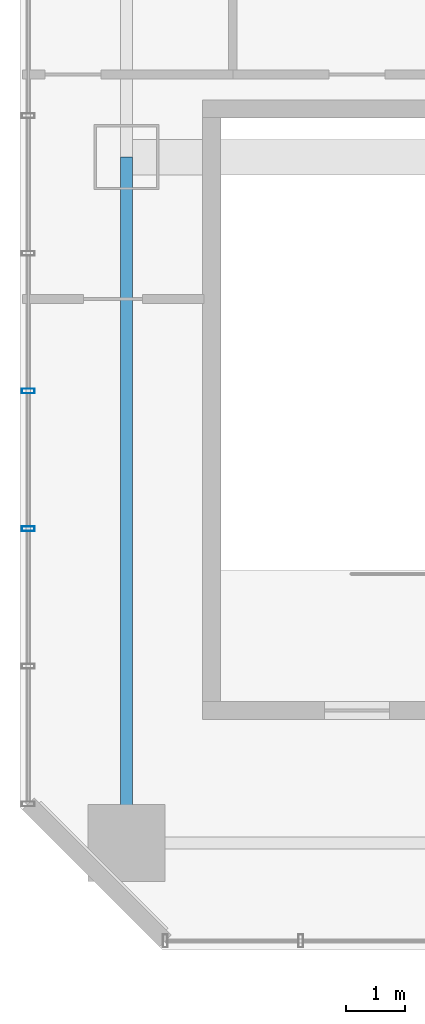
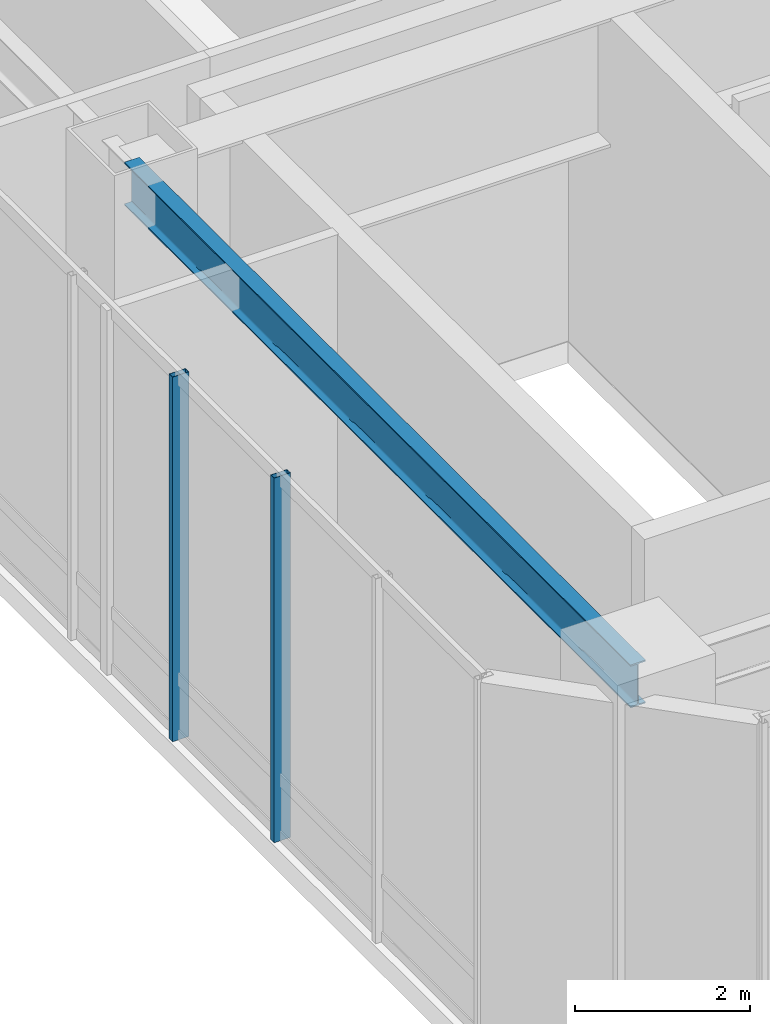
# One storey, part 3 of 38: 2 members, 1 beam, 1 element without a shape of its own.
"""IFC4 building model written with IfcOpenShell, lengths in metres."""

from ifc_helpers import new_model, si_unit, direction, frame, origin, origin_2d, place, context, subcontext, project, spatial, hollow_rectangle, i_section, extrude, material, layer, layer_set, material_profile, profile_set, type_object, element, aggregate, save


model = new_model("IFC4")

# Units and contexts
model_context = context("Model", 3, precision=1e-05, world=origin(), true_north=direction((0.0, 1.0)))
body_context = subcontext(model_context, "Body", "Model", "MODEL_VIEW")
ifc_project = project(units=[si_unit("LENGTHUNIT", "METRE"), si_unit("AREAUNIT", "SQUARE_METRE"), si_unit("VOLUMEUNIT", "CUBIC_METRE"), si_unit("PLANEANGLEUNIT", "RADIAN"), si_unit("MASSUNIT", "GRAM", prefix="KILO")], contexts=[model_context])

# Site, building, storey
site_placement = place(None, origin())
site = spatial("IfcSite", under=ifc_project, at=site_placement, CompositionType="ELEMENT")
building_placement = place(site_placement, origin())
building = spatial("IfcBuilding", under=site, at=building_placement, Name="Hatsunagi Terrace Concourse", CompositionType="ELEMENT")
storey_placement = place(building_placement, frame((0.0, 0.0, 21.60009765625)))
storey = spatial("IfcBuildingStorey", under=building, at=storey_placement, Name="L05", CompositionType="ELEMENT", Elevation=21.60009765625)

# Curtain wall, members
ifc_material_1 = material(Name="Anodised Aluminium Alloy 6063-T5", Category="aluminium")
ifc_layer = layer(ifc_material_1, 0.199951171875)
ifc_layer_set = layer_set([ifc_layer], Name="PodiumStorefront_CW01")
curtain_wall_type = type_object("IfcCurtainWallType", Name="PodiumStorefront_CW01", PredefinedType="NOTDEFINED", material=ifc_layer_set)
curtain_wall_placement = place(storey_placement, origin())
curtain_wall = element("IfcCurtainWall", 1, at=curtain_wall_placement, inside=storey, type_object=curtain_wall_type, Name="Unitised Curtain Wall CW-01 CW-L05-09", PredefinedType="NOTDEFINED")
ifc_material_2 = material(Name="Anodised Aluminium Alloy 6063-T5", Category="aluminium")
ifc_material_profile_1 = material_profile(ifc_material_2, hollow_rectangle(XDim=0.080078125, YDim=0.219970703125, WallThickness=0.0048828125, at=origin_2d()), Name="ALU-MUL-220x80x5")
ifc_profile_set_1 = profile_set([ifc_material_profile_1], Name="Anodised Aluminium Alloy 6063-T5")
member_type = type_object("IfcMemberType", Name="CurtainWallMullion_Heavy_220x80", PredefinedType="MULLION", material=ifc_profile_set_1)
member_1_placement = place(storey_placement, frame((0.139892578125, 30.514892578125, 0.0), z_axis=(0.0, 0.0, 1.0), x_axis=(0.0, 1.0, 0.0)))
member_1 = element("IfcMember", 2, at=member_1_placement, type_object=member_type, Name="Curtain Wall Mullion MUL-01", PredefinedType="MULLION", context=body_context, shape_type="SweptSolid", body=[
    extrude(hollow_rectangle(XDim=0.080078125, YDim=0.219970703125, WallThickness=0.0048828125, at=origin_2d()), origin(), (0.0, 0.0, 1.0), 5.099853515625),
])
member_2_placement = place(storey_placement, frame((0.139892578125, 32.843017578125, 0.0), z_axis=(0.0, 0.0, 1.0), x_axis=(0.0, 1.0, 0.0)))
member_2 = element("IfcMember", 3, at=member_2_placement, type_object=member_type, Name="Curtain Wall Mullion MUL-01", PredefinedType="MULLION", context=body_context, shape_type="SweptSolid", body=[
    extrude(hollow_rectangle(XDim=0.080078125, YDim=0.219970703125, WallThickness=0.0048828125, at=origin_2d()), origin(), (0.0, 0.0, 1.0), 5.099853515625),
])
aggregate(curtain_wall, [member_1, member_2])

# Beam
ifc_material_3 = material(Name="Steel SN490B", Category="steel")
ifc_material_profile_2 = material_profile(ifc_material_3, i_section(OverallWidth=0.199951171875, OverallDepth=0.60009765625, WebThickness=0.010986328125, FlangeThickness=0.01708984375, FilletRadius=0.01806640625, at=origin_2d()), Name="H-600x200x11x17")
ifc_profile_set_2 = profile_set([ifc_material_profile_2], Name="Steel SN490B")
beam_type = type_object("IfcBeamType", Name="PerimeterSpandrel_H_600x200", PredefinedType="SPANDREL", material=ifc_profile_set_2)
beam_placement = place(storey_placement, frame((1.800048828125, 25.199951171875, 4.7998046875), z_axis=(0.0, 1.0, 0.0), x_axis=(-1.0, 0.0, 0.0)))
element("IfcBeam", 4, at=beam_placement, inside=storey, type_object=beam_type, Name="Beam SP-01 BM-L05-NS-1-25", PredefinedType="SPANDREL", context=body_context, shape_type="SweptSolid", body=[
    extrude(i_section(OverallWidth=0.199951171875, OverallDepth=0.60009765625, WebThickness=0.010986328125, FlangeThickness=0.01708984375, FilletRadius=0.01806640625, at=origin_2d()), origin(), (0.0, 0.0, 1.0), 11.60009765625),
])

save(model, "model.ifc")
